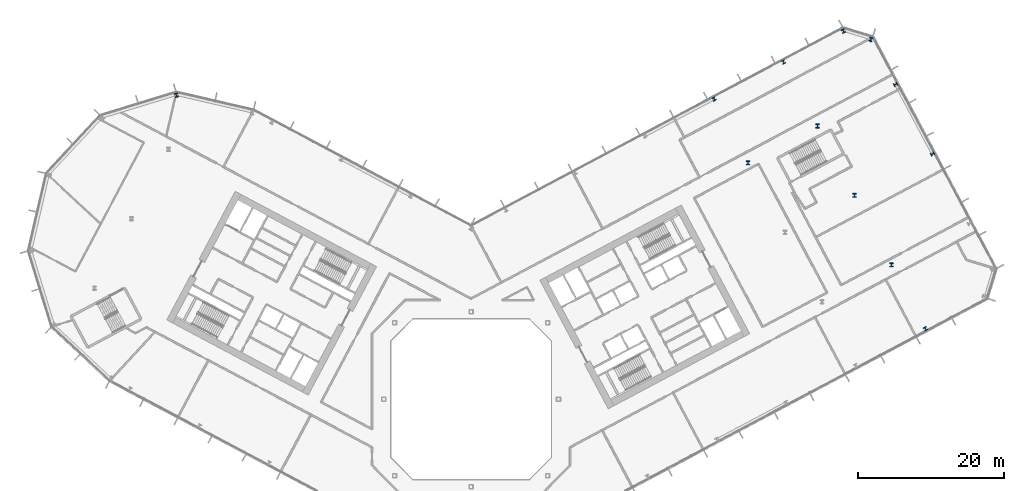
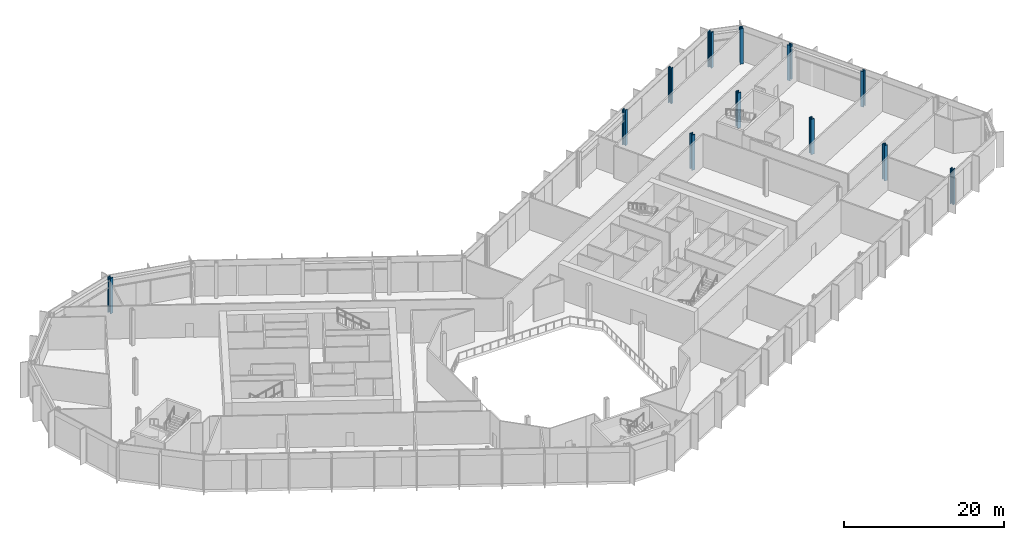
# One storey, part 4 of 31: 12 columns.
"""IFC4 building model written with IfcOpenShell, lengths in metres."""

from ifc_helpers import new_model, si_unit, direction, frame, origin, origin_2d, place, context, subcontext, project, spatial, i_section, extrude, material, material_profile, profile_set, type_object, element, save


model = new_model("IFC4")

# Units and contexts
model_context = context("Model", 3, precision=1e-05, world=origin(), true_north=direction((0.0, 1.0)))
body_context = subcontext(model_context, "Body", "Model", "MODEL_VIEW")
ifc_project = project(units=[si_unit("LENGTHUNIT", "METRE"), si_unit("AREAUNIT", "SQUARE_METRE"), si_unit("VOLUMEUNIT", "CUBIC_METRE"), si_unit("PLANEANGLEUNIT", "RADIAN"), si_unit("MASSUNIT", "GRAM", prefix="KILO")], contexts=[model_context])

# Site, building, storey
site_placement = place(None, origin())
site = spatial("IfcSite", under=ifc_project, at=site_placement, CompositionType="ELEMENT")
building_placement = place(site_placement, origin())
building = spatial("IfcBuilding", under=site, at=building_placement, Name="Cormorant Relay Tower", CompositionType="ELEMENT")
storey_placement = place(building_placement, frame((0.0, 0.0, 33.800048828125)))
storey = spatial("IfcBuildingStorey", under=building, at=storey_placement, Name="L06", CompositionType="ELEMENT", Elevation=33.800048828125)

# Columns
ifc_material_1 = material(Name="Steel ASTM A992 (Fy 345 MPa)", Category="steel")
ifc_material_profile_1 = material_profile(ifc_material_1, i_section(OverallWidth=0.45458984375, OverallDepth=0.569091796875, WebThickness=0.077880859375, FlangeThickness=0.124755859375, FilletRadius=0.015380859375, at=origin_2d()), Name="W360x1086")
ifc_profile_set_1 = profile_set([ifc_material_profile_1], Name="Steel ASTM A992 (Fy 345 MPa)")
column_type_1 = type_object("IfcColumnType", Name="Column W360x1086", PredefinedType="COLUMN", material=ifc_profile_set_1)
for number, where, z_axis, x_axis, name in (
    (1, (57.694091796875, 18.445068359375, 0.0), (0.0, 0.0, 1.0), (1.0, 0.0, 0.0), "Column L06-029"),
    (2, (52.6240234375, 27.98095703125, 0.0), (0.0, 0.0, 1.0), (1.0, 0.0, 0.0), "Column L06-037"),
    (3, (38.01806640625, 32.446044921875, 0.0), (0.0, 0.0, 1.0), (1.0, 0.0, 0.0), "Column L06-040"),
    (4, (47.552978515625, 37.51611328125, 0.0), (0.0, 0.0, 1.0), (1.0, 0.0, 0.0), "Column L06-045"),
    (5, (-40.451904296875, 41.73388671875, 0.0), (0.0, 0.0, 1.0), (-0.956304755963, -0.292371704723, 0.0), "Column L06-050"),
    (6, (54.866943359375, 49.385986328125, 0.0), (0.0, 0.0, 1.0), (-0.956304755963, 0.292371704723, 0.0), "Column L06-053"),
    (7, (51.10302734375, 50.537109375, 0.0), (0.0, 0.0, 1.0), (-0.882947592859, -0.469471562786, 0.0), "Column L06-054"),
):
    element("IfcColumn", number, at=place(storey_placement, frame(where, z_axis=z_axis, x_axis=x_axis)), inside=storey, type_object=column_type_1, Name=name, PredefinedType="COLUMN", context=body_context, shape_type="SweptSolid", body=[
        extrude(i_section(OverallWidth=0.45458984375, OverallDepth=0.569091796875, WebThickness=0.077880859375, FlangeThickness=0.124755859375, FilletRadius=0.015380859375, at=origin_2d()), origin(), (0.0, 0.0, 1.0), 5.39990234375),
    ])
ifc_material_2 = material(Name="Steel ASTM A992 (Fy 345 MPa)", Category="steel")
ifc_material_profile_2 = material_profile(ifc_material_2, i_section(OverallWidth=0.43701171875, OverallDepth=0.51318359375, WebThickness=0.060546875, FlangeThickness=0.096923828125, FilletRadius=0.015380859375, at=origin_2d()), Name="W360x818")
ifc_profile_set_2 = profile_set([ifc_material_profile_2], Name="Steel ASTM A992 (Fy 345 MPa)")
column_type_2 = type_object("IfcColumnType", Name="Column W360x818", PredefinedType="COLUMN", material=ifc_profile_set_2)
for number, where, z_axis, x_axis, name in (
    (8, (62.361083984375, 9.66796875, 0.0), (0.0, 0.0, 1.0), (0.882947592859, 0.469471562786, 0.0), "Column L06-020"),
    (9, (63.343017578125, 33.679931640625, 0.0), (0.0, 0.0, 1.0), (-0.469471562786, 0.882947592859, 0.0), "Column L06-042"),
    (10, (33.35107421875, 41.222900390625, 0.0), (0.0, 0.0, 1.0), (-0.882947592859, -0.469471562786, 0.0), "Column L06-049"),
    (11, (58.27197265625, 43.216064453125, 0.0), (0.0, 0.0, 1.0), (-0.469471562786, 0.882947592859, 0.0), "Column L06-051"),
    (12, (42.886962890625, 46.29296875, 0.0), (0.0, 0.0, 1.0), (-0.882947592859, -0.469471562786, 0.0), "Column L06-052"),
):
    element("IfcColumn", number, at=place(storey_placement, frame(where, z_axis=z_axis, x_axis=x_axis)), inside=storey, type_object=column_type_2, Name=name, PredefinedType="COLUMN", context=body_context, shape_type="SweptSolid", body=[
        extrude(i_section(OverallWidth=0.43701171875, OverallDepth=0.51318359375, WebThickness=0.060546875, FlangeThickness=0.096923828125, FilletRadius=0.015380859375, at=origin_2d()), origin(), (0.0, 0.0, 1.0), 5.39990234375),
    ])

save(model, "model.ifc")
